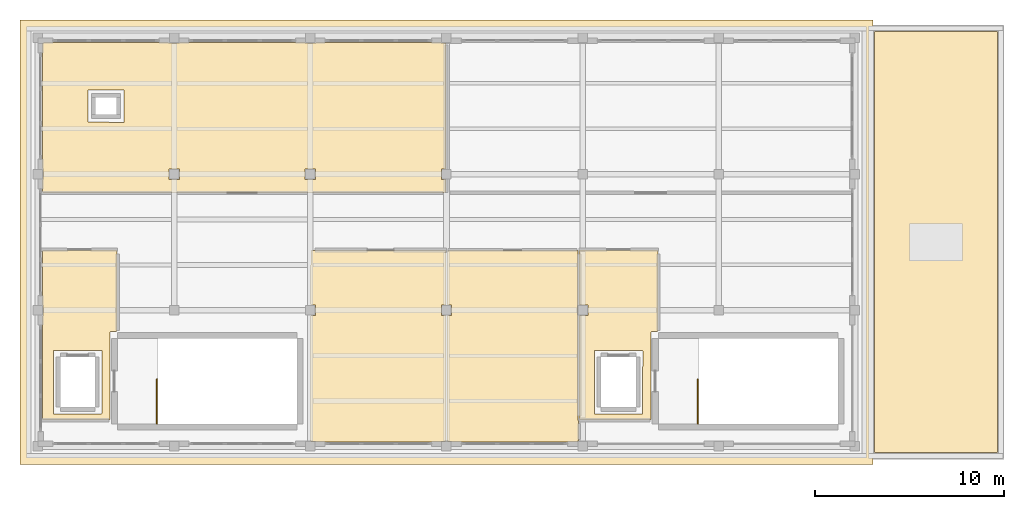
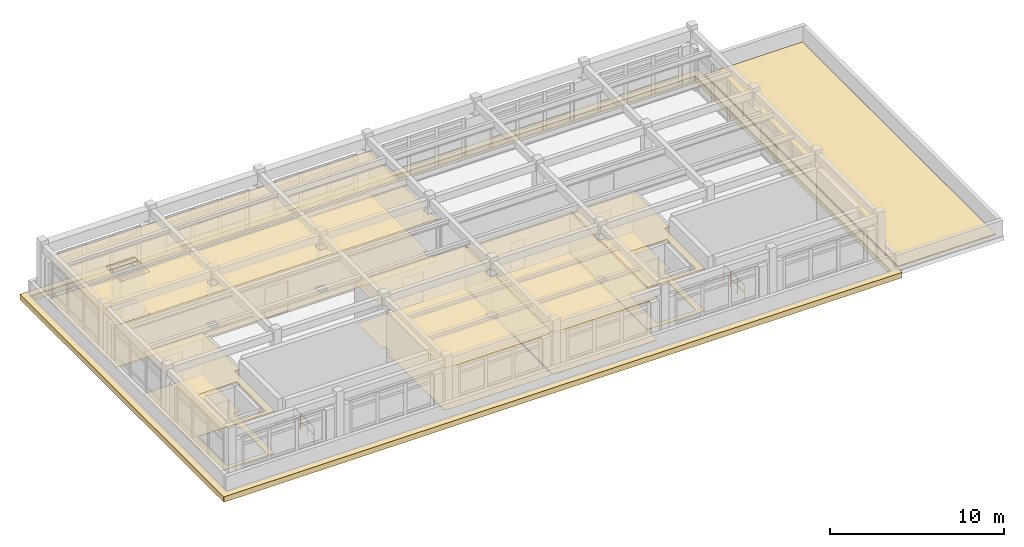
# One storey, part 12 of 12: 12 coverings, 2 railings.
"""IFC4 building model written with IfcOpenShell, lengths in metres."""

from ifc_helpers import new_model, si_unit, direction, frame, origin, origin_2d, place, context, subcontext, project, spatial, polyline, circle, outline, extrude, material, layer, layer_set, type_object, element, save


model = new_model("IFC4")

# Units and contexts
model_context = context("Model", 3, precision=1e-05, world=origin(), true_north=direction((0.0, 1.0)))
body_context = subcontext(model_context, "Body", "Model", "MODEL_VIEW")
ifc_project = project(units=[si_unit("LENGTHUNIT", "METRE"), si_unit("AREAUNIT", "SQUARE_METRE"), si_unit("VOLUMEUNIT", "CUBIC_METRE"), si_unit("PLANEANGLEUNIT", "RADIAN"), si_unit("MASSUNIT", "GRAM", prefix="KILO")], contexts=[model_context])

# Site, building, storey
site_placement = place(None, origin())
site = spatial("IfcSite", under=ifc_project, at=site_placement, CompositionType="ELEMENT")
building_placement = place(site_placement, origin())
building = spatial("IfcBuilding", under=site, at=building_placement, Name="Solenvale Faculty of Natural Sciences", CompositionType="ELEMENT")
storey_placement = place(building_placement, frame((0.0, 0.0, 52.199951171875)))
storey = spatial("IfcBuildingStorey", under=building, at=storey_placement, Name="RF", CompositionType="ELEMENT", Elevation=52.199951171875)

# Coverings
ifc_material_1 = material(Name="Acoustic mineral-timber ceiling", Category="wood")
ifc_layer_1 = layer(ifc_material_1, 0.02490234375)
ifc_layer_set_1 = layer_set([ifc_layer_1], Name="Acoustic mineral-timber ceiling")
covering_type_1 = type_object("IfcCoveringType", Name="COV-CEIL-AC25", PredefinedType="CEILING", material=ifc_layer_set_1)
covering_1_placement = place(storey_placement, frame((0.0, 0.0, 2.93505859375)))
element("IfcCovering", 1, at=covering_1_placement, inside=storey, type_object=covering_type_1, Name="RF Firefighting Lobby C4 Acoustic Ceiling", PredefinedType="CEILING", context=body_context, shape_type="SweptSolid", body=[
    extrude(outline(polyline([(101.0400390625, 100.4951171875), (101.074951171875, 100.535888671875), (101.074951171875, 101.06591796875), (101.0400390625, 101.10498046875), (101.0400390625, 103.949951171875), (101.051025390625, 103.972900390625), (104.949951171875, 103.97998046875), (104.972900390625, 103.968994140625), (104.97998046875, 99.7099609375), (104.9560546875, 99.680908203125), (104.64794921875, 99.679931640625), (104.6201171875, 99.652099609375), (104.6201171875, 95.050048828125), (104.60693359375, 95.02490234375), (101.070068359375, 95.02001953125), (101.044921875, 95.032958984375), (101.0400390625, 100.4951171875)]), holes=[polyline([(101.6201171875, 95.347900390625), (101.6298828125, 95.327880859375), (101.64990234375, 95.320068359375), (104.14990234375, 95.320068359375), (104.174072265625, 95.33203125), (104.179931640625, 98.64990234375), (104.16796875, 98.674072265625), (101.64990234375, 98.679931640625), (101.6259765625, 98.66796875), (101.6201171875, 95.347900390625)])]), origin(), (0.0, 0.0, 1.0), 0.02490234375),
])
covering_2_placement = place(storey_placement, frame((0.0, 0.0, 2.93505859375)))
element("IfcCovering", 2, at=covering_2_placement, inside=storey, type_object=covering_type_1, Name="RF Firefighting Lobby C5 Acoustic Ceiling", PredefinedType="CEILING", context=body_context, shape_type="SweptSolid", body=[
    extrude(outline(polyline([(133.580078125, 99.7099609375), (133.555908203125, 99.680908203125), (133.248046875, 99.679931640625), (133.219970703125, 99.652099609375), (133.212890625, 95.031005859375), (133.18994140625, 95.02001953125), (129.430908203125, 95.027099609375), (129.419921875, 95.050048828125), (129.419921875, 100.498046875), (129.447021484375, 100.52490234375), (129.873046875, 100.529052734375), (129.875, 101.06396484375), (129.864013671875, 101.074951171875), (129.447021484375, 101.074951171875), (129.4208984375, 101.09912109375), (129.419921875, 103.949951171875), (129.428955078125, 103.970947265625), (129.449951171875, 103.97998046875), (133.550048828125, 103.97998046875), (133.571044921875, 103.970947265625), (133.580078125, 103.949951171875), (133.580078125, 99.7099609375)]), holes=[polyline([(130.219970703125, 95.347900390625), (130.22998046875, 95.327880859375), (130.25, 95.320068359375), (132.75, 95.320068359375), (132.77392578125, 95.33203125), (132.780029296875, 98.64990234375), (132.76806640625, 98.674072265625), (130.25, 98.679931640625), (130.22607421875, 98.66796875), (130.219970703125, 95.347900390625)])]), origin(), (0.0, 0.0, 1.0), 0.02490234375),
])
covering_3_placement = place(storey_placement, frame((0.0, 0.0, 2.93505859375)))
element("IfcCovering", 3, at=covering_3_placement, inside=storey, type_object=covering_type_1, Name="RF Research Greenhouse Laboratory Acoustic Ceiling", PredefinedType="CEILING", context=body_context, shape_type="SweptSolid", body=[
    extrude(outline(polyline([(101.0400390625, 114.89501953125), (101.048095703125, 114.916015625), (101.10498046875, 114.9599609375), (107.695068359375, 114.9599609375), (107.736083984375, 114.925048828125), (108.26611328125, 114.925048828125), (108.304931640625, 114.9599609375), (114.89501953125, 114.9599609375), (114.93603515625, 114.925048828125), (115.466064453125, 114.925048828125), (115.5048828125, 114.9599609375), (122.094970703125, 114.9599609375), (122.134033203125, 114.925048828125), (122.361083984375, 114.923095703125), (122.3798828125, 114.89501953125), (122.3798828125, 108.304931640625), (122.35302734375, 108.27490234375), (122.1259765625, 108.26904296875), (122.125, 107.736083984375), (122.135986328125, 107.72509765625), (122.35302734375, 107.72509765625), (122.3779296875, 107.7060546875), (122.3779296875, 107.05908203125), (122.35009765625, 107.0400390625), (101.05908203125, 107.0419921875), (101.0400390625, 107.070068359375), (101.0400390625, 107.695068359375), (101.074951171875, 107.73388671875), (101.074951171875, 108.263916015625), (101.0400390625, 108.304931640625), (101.0400390625, 114.89501953125)]), holes=[polyline([(115.464111328125, 107.72509765625), (115.47509765625, 107.736083984375), (115.471923828125, 108.27197265625), (114.927978515625, 108.27197265625), (114.927978515625, 107.72802734375), (115.464111328125, 107.72509765625)]), polyline([(108.27490234375, 108.263916015625), (108.263916015625, 108.27490234375), (107.72802734375, 108.27197265625), (107.72802734375, 107.72802734375), (108.27197265625, 107.72802734375), (108.27490234375, 108.263916015625)]), polyline([(103.468017578125, 112.4599609375), (103.447998046875, 112.449951171875), (103.43994140625, 112.429931640625), (103.43994140625, 110.77001953125), (103.449951171875, 110.748046875), (105.330078125, 110.739990234375), (105.35205078125, 110.75), (105.360107421875, 112.429931640625), (105.35009765625, 112.451904296875), (103.468017578125, 112.4599609375)])]), origin(), (0.0, 0.0, 1.0), 0.02490234375),
])
covering_4_placement = place(storey_placement, frame((0.0, 0.0, 2.93505859375)))
element("IfcCovering", 4, at=covering_4_placement, inside=storey, type_object=covering_type_1, Name="RF Laboratory Exhaust Scrubbing Store Acoustic Ceiling", PredefinedType="CEILING", context=body_context, shape_type="SweptSolid", body=[
    extrude(outline(polyline([(115.5048828125, 93.840087890625), (115.467041015625, 93.875), (115.2470703125, 93.875), (115.219970703125, 93.905029296875), (115.219970703125, 100.4951171875), (115.243896484375, 100.52392578125), (115.464111328125, 100.52490234375), (115.47509765625, 100.535888671875), (115.47412109375, 101.069091796875), (115.2470703125, 101.074951171875), (115.219970703125, 101.10205078125), (115.22509765625, 103.947021484375), (115.25, 103.9599609375), (122.366943359375, 103.955078125), (122.3798828125, 103.929931640625), (122.3798828125, 101.10205078125), (122.35302734375, 101.074951171875), (122.1259765625, 101.069091796875), (122.125, 100.535888671875), (122.135986328125, 100.52490234375), (122.35595703125, 100.52392578125), (122.3798828125, 100.4951171875), (122.375, 93.887939453125), (122.35302734375, 93.875), (122.133056640625, 93.875), (122.094970703125, 93.840087890625), (115.5048828125, 93.840087890625)])), origin(), (0.0, 0.0, 1.0), 0.02490234375),
])
covering_5_placement = place(storey_placement, frame((0.0, 0.0, 2.93505859375)))
element("IfcCovering", 5, at=covering_5_placement, inside=storey, type_object=covering_type_1, Name="RF Accessible Washroom Acoustic Ceiling", PredefinedType="CEILING", context=body_context, shape_type="SweptSolid", body=[
    extrude(outline(polyline([(122.705078125, 93.840087890625), (122.6669921875, 93.875), (122.467041015625, 93.875), (122.43994140625, 93.905029296875), (122.43994140625, 100.4951171875), (122.464111328125, 100.52392578125), (122.666015625, 100.52490234375), (122.675048828125, 100.535888671875), (122.674072265625, 101.069091796875), (122.467041015625, 101.074951171875), (122.43994140625, 101.10205078125), (122.445068359375, 103.947021484375), (122.469970703125, 103.9599609375), (129.346923828125, 103.955078125), (129.360107421875, 103.929931640625), (129.360107421875, 101.10498046875), (129.324951171875, 101.06591796875), (129.324951171875, 100.535888671875), (129.360107421875, 100.4951171875), (129.360107421875, 95.0), (129.3798828125, 94.950927734375), (129.375, 93.887939453125), (129.3291015625, 93.873046875), (129.31689453125, 93.84912109375), (129.294921875, 93.840087890625), (122.705078125, 93.840087890625)])), origin(), (0.0, 0.0, 1.0), 0.02490234375),
])
ifc_material_2 = material(Name="Polished slate terrazzo flooring", Category="masonry")
ifc_layer_2 = layer(ifc_material_2, 0.01806640625)
ifc_layer_set_2 = layer_set([ifc_layer_2], Name="Polished slate terrazzo flooring")
covering_type_2 = type_object("IfcCoveringType", Name="COV-FLR-TRZ18", PredefinedType="FLOORING", material=ifc_layer_set_2)
covering_6_placement = place(storey_placement, origin())
element("IfcCovering", 6, at=covering_6_placement, inside=storey, type_object=covering_type_2, Name="RF Firefighting Lobby C4 Floor Finish", PredefinedType="FLOORING", context=body_context, shape_type="SweptSolid", body=[
    extrude(outline(polyline([(101.0400390625, 100.4951171875), (101.074951171875, 100.535888671875), (101.074951171875, 101.06591796875), (101.0400390625, 101.10498046875), (101.0400390625, 103.949951171875), (101.051025390625, 103.972900390625), (104.949951171875, 103.97998046875), (104.972900390625, 103.968994140625), (104.97998046875, 99.7099609375), (104.9560546875, 99.680908203125), (104.64794921875, 99.679931640625), (104.6201171875, 99.652099609375), (104.6201171875, 95.050048828125), (104.60693359375, 95.02490234375), (101.070068359375, 95.02001953125), (101.044921875, 95.032958984375), (101.0400390625, 100.4951171875)]), holes=[polyline([(101.6201171875, 95.347900390625), (101.6298828125, 95.327880859375), (101.64990234375, 95.320068359375), (104.14990234375, 95.320068359375), (104.174072265625, 95.33203125), (104.179931640625, 98.64990234375), (104.16796875, 98.674072265625), (101.64990234375, 98.679931640625), (101.6259765625, 98.66796875), (101.6201171875, 95.347900390625)])]), origin(), (0.0, 0.0, 1.0), 0.01806640625),
])
covering_7_placement = place(storey_placement, origin())
element("IfcCovering", 7, at=covering_7_placement, inside=storey, type_object=covering_type_2, Name="RF Firefighting Lobby C5 Floor Finish", PredefinedType="FLOORING", context=body_context, shape_type="SweptSolid", body=[
    extrude(outline(polyline([(133.580078125, 99.7099609375), (133.555908203125, 99.680908203125), (133.248046875, 99.679931640625), (133.219970703125, 99.652099609375), (133.212890625, 95.031005859375), (133.18994140625, 95.02001953125), (129.430908203125, 95.027099609375), (129.419921875, 95.050048828125), (129.419921875, 100.498046875), (129.447021484375, 100.52490234375), (129.873046875, 100.529052734375), (129.875, 101.06396484375), (129.864013671875, 101.074951171875), (129.447021484375, 101.074951171875), (129.4208984375, 101.09912109375), (129.419921875, 103.949951171875), (129.428955078125, 103.970947265625), (129.449951171875, 103.97998046875), (133.550048828125, 103.97998046875), (133.571044921875, 103.970947265625), (133.580078125, 103.949951171875), (133.580078125, 99.7099609375)]), holes=[polyline([(130.219970703125, 95.347900390625), (130.22998046875, 95.327880859375), (130.25, 95.320068359375), (132.75, 95.320068359375), (132.77392578125, 95.33203125), (132.780029296875, 98.64990234375), (132.76806640625, 98.674072265625), (130.25, 98.679931640625), (130.22607421875, 98.66796875), (130.219970703125, 95.347900390625)])]), origin(), (0.0, 0.0, 1.0), 0.01806640625),
])
covering_8_placement = place(storey_placement, origin())
element("IfcCovering", 8, at=covering_8_placement, inside=storey, type_object=covering_type_2, Name="RF Accessible Washroom Floor Finish", PredefinedType="FLOORING", context=body_context, shape_type="SweptSolid", body=[
    extrude(outline(polyline([(122.705078125, 93.840087890625), (122.6669921875, 93.875), (122.467041015625, 93.875), (122.43994140625, 93.905029296875), (122.43994140625, 100.4951171875), (122.464111328125, 100.52392578125), (122.666015625, 100.52490234375), (122.675048828125, 100.535888671875), (122.674072265625, 101.069091796875), (122.467041015625, 101.074951171875), (122.43994140625, 101.10205078125), (122.445068359375, 103.947021484375), (122.469970703125, 103.9599609375), (129.346923828125, 103.955078125), (129.360107421875, 103.929931640625), (129.360107421875, 101.10498046875), (129.324951171875, 101.06591796875), (129.324951171875, 100.535888671875), (129.360107421875, 100.4951171875), (129.360107421875, 95.0), (129.3798828125, 94.950927734375), (129.375, 93.887939453125), (129.3291015625, 93.873046875), (129.31689453125, 93.84912109375), (129.294921875, 93.840087890625), (122.705078125, 93.840087890625)])), origin(), (0.0, 0.0, 1.0), 0.01806640625),
])
ifc_material_3 = material(Name="Seamless laboratory vinyl flooring")
ifc_layer_3 = layer(ifc_material_3, 0.008056640625)
ifc_layer_set_3 = layer_set([ifc_layer_3], Name="Seamless laboratory vinyl flooring")
covering_type_3 = type_object("IfcCoveringType", Name="COV-FLR-VNL08", PredefinedType="FLOORING", material=ifc_layer_set_3)
covering_9_placement = place(storey_placement, origin())
element("IfcCovering", 9, at=covering_9_placement, inside=storey, type_object=covering_type_3, Name="RF Research Greenhouse Laboratory Floor Finish", PredefinedType="FLOORING", context=body_context, shape_type="SweptSolid", body=[
    extrude(outline(polyline([(101.0400390625, 114.89501953125), (101.048095703125, 114.916015625), (101.10498046875, 114.9599609375), (107.695068359375, 114.9599609375), (107.736083984375, 114.925048828125), (108.26611328125, 114.925048828125), (108.304931640625, 114.9599609375), (114.89501953125, 114.9599609375), (114.93603515625, 114.925048828125), (115.466064453125, 114.925048828125), (115.5048828125, 114.9599609375), (122.094970703125, 114.9599609375), (122.134033203125, 114.925048828125), (122.361083984375, 114.923095703125), (122.3798828125, 114.89501953125), (122.3798828125, 108.304931640625), (122.35302734375, 108.27490234375), (122.1259765625, 108.26904296875), (122.125, 107.736083984375), (122.135986328125, 107.72509765625), (122.35302734375, 107.72509765625), (122.3779296875, 107.7060546875), (122.3779296875, 107.05908203125), (122.35009765625, 107.0400390625), (101.05908203125, 107.0419921875), (101.0400390625, 107.070068359375), (101.0400390625, 107.695068359375), (101.074951171875, 107.73388671875), (101.074951171875, 108.263916015625), (101.0400390625, 108.304931640625), (101.0400390625, 114.89501953125)]), holes=[polyline([(115.464111328125, 107.72509765625), (115.47509765625, 107.736083984375), (115.471923828125, 108.27197265625), (114.927978515625, 108.27197265625), (114.927978515625, 107.72802734375), (115.464111328125, 107.72509765625)]), polyline([(108.27490234375, 108.263916015625), (108.263916015625, 108.27490234375), (107.72802734375, 108.27197265625), (107.72802734375, 107.72802734375), (108.27197265625, 107.72802734375), (108.27490234375, 108.263916015625)]), polyline([(103.468017578125, 112.4599609375), (103.447998046875, 112.449951171875), (103.43994140625, 112.429931640625), (103.43994140625, 110.77001953125), (103.449951171875, 110.748046875), (105.330078125, 110.739990234375), (105.35205078125, 110.75), (105.360107421875, 112.429931640625), (105.35009765625, 112.451904296875), (103.468017578125, 112.4599609375)])]), origin(), (0.0, 0.0, 1.0), 0.008056640625),
])
covering_10_placement = place(storey_placement, origin())
element("IfcCovering", 10, at=covering_10_placement, inside=storey, type_object=covering_type_3, Name="RF Laboratory Exhaust Scrubbing Store Floor Finish", PredefinedType="FLOORING", context=body_context, shape_type="SweptSolid", body=[
    extrude(outline(polyline([(115.5048828125, 93.840087890625), (115.467041015625, 93.875), (115.2470703125, 93.875), (115.219970703125, 93.905029296875), (115.219970703125, 100.4951171875), (115.243896484375, 100.52392578125), (115.464111328125, 100.52490234375), (115.47509765625, 100.535888671875), (115.47412109375, 101.069091796875), (115.2470703125, 101.074951171875), (115.219970703125, 101.10205078125), (115.22509765625, 103.947021484375), (115.25, 103.9599609375), (122.366943359375, 103.955078125), (122.3798828125, 103.929931640625), (122.3798828125, 101.10205078125), (122.35302734375, 101.074951171875), (122.1259765625, 101.069091796875), (122.125, 100.535888671875), (122.135986328125, 100.52490234375), (122.35595703125, 100.52392578125), (122.3798828125, 100.4951171875), (122.375, 93.887939453125), (122.35302734375, 93.875), (122.133056640625, 93.875), (122.094970703125, 93.840087890625), (115.5048828125, 93.840087890625)])), origin(), (0.0, 0.0, 1.0), 0.008056640625),
])
ifc_material_4 = material(Name="Insulated EPDM roofing membrane")
ifc_layer_4 = layer(ifc_material_4, 0.06494140625)
ifc_layer_set_4 = layer_set([ifc_layer_4], Name="Insulated EPDM roofing membrane")
covering_type_4 = type_object("IfcCoveringType", Name="COV-ROOF-MEMB", PredefinedType="ROOFING", material=ifc_layer_set_4)
covering_11_placement = place(storey_placement, frame((0.0, 0.0, -0.33984375)))
element("IfcCovering", 11, at=covering_11_placement, inside=storey, type_object=covering_type_4, Name="RF Projecting Horizontal Bronze Concrete Tray Ledge 1", PredefinedType="CLADDING", context=body_context, shape_type="SweptSolid", body=[
    extrude(outline(polyline([(99.85009765625, 116.1298828125), (99.85595703125, 116.14404296875), (99.8701171875, 116.14990234375), (144.93896484375, 116.14794921875), (144.949951171875, 116.1298828125), (144.947998046875, 92.660888671875), (144.929931640625, 92.64990234375), (99.861083984375, 92.652099609375), (99.85009765625, 92.669921875), (99.85009765625, 116.1298828125)]), holes=[polyline([(100.320068359375, 93.1201171875), (144.47998046875, 93.1201171875), (144.47998046875, 115.679931640625), (100.320068359375, 115.679931640625), (100.320068359375, 93.1201171875)])]), origin(), (0.0, 0.0, 1.0), 0.3798828125),
])
covering_12_placement = place(storey_placement, origin())
element("IfcCovering", 12, at=covering_12_placement, inside=storey, type_object=covering_type_4, Name="RF Roof Covering 8", PredefinedType="ROOFING", context=body_context, shape_type="SweptSolid", body=[
    extrude(outline(polyline([(151.530029296875, 93.27001953125), (145.030029296875, 93.27001953125), (145.030029296875, 115.530029296875), (151.530029296875, 115.530029296875), (151.530029296875, 93.27001953125)])), origin(), (0.0, 0.0, 1.0), 0.06494140625),
])

# Railings
ifc_material_5 = material(Name="Stainless steel Grade 304", Category="steel")
railing_type = type_object("IfcRailingType", Name="RL-GRD-1100", PredefinedType="GUARDRAIL", material=ifc_material_5)
for number, where, name in (
    (13, (107.090087890625, 94.800048828125, 0.0), "RF ST-04 top well guard 1"),
    (14, (135.68994140625, 94.800048828125, 0.0), "RF ST-05 top well guard 1"),
):
    element("IfcRailing", number, at=place(storey_placement, frame(where)), inside=storey, type_object=railing_type, Name=name, PredefinedType="GUARDRAIL", context=body_context, shape_type="SweptSolid", body=[
        extrude(circle(Radius=0.02392578125, at=origin_2d()), frame((0.0, 0.0, 1.09619140625), z_axis=(0.0, 1.0, 0.0), x_axis=(-1.0, 0.0, 0.0)), (0.0, 0.0, 1.0), 2.349853515625),
        extrude(circle(Radius=0.01611328125, at=origin_2d()), frame((0.0, 0.0, 0.56005859375), z_axis=(0.0, 1.0, 0.0), x_axis=(-1.0, 0.0, 0.0)), (0.0, 0.0, 1.0), 2.349853515625),
        extrude(circle(Radius=0.02099609375, at=origin_2d()), origin(), (0.0, 0.0, 1.0), 1.072021484375),
        extrude(circle(Radius=0.02099609375, at=origin_2d()), frame((0.0, 0.783203125, 0.0)), (0.0, 0.0, 1.0), 1.072021484375),
        extrude(circle(Radius=0.02099609375, at=origin_2d()), frame((0.0, 1.566650390625, 0.0)), (0.0, 0.0, 1.0), 1.072021484375),
        extrude(circle(Radius=0.02099609375, at=origin_2d()), frame((0.0, 2.349853515625, 0.0)), (0.0, 0.0, 1.0), 1.072021484375),
    ])

save(model, "model.ifc")
